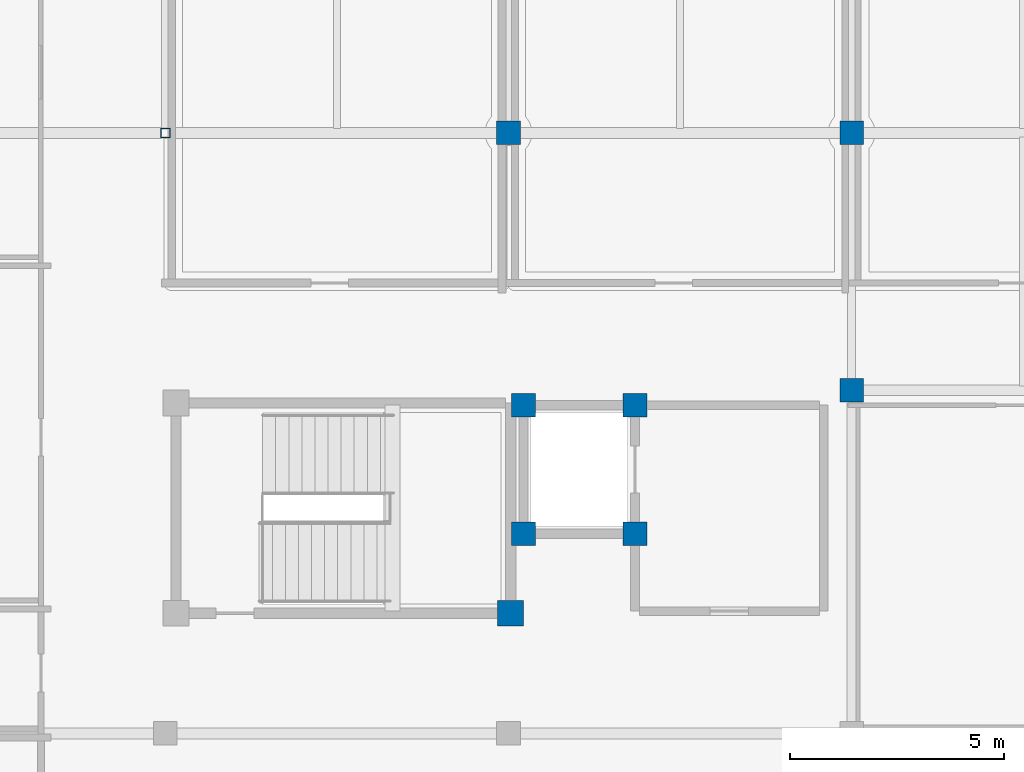
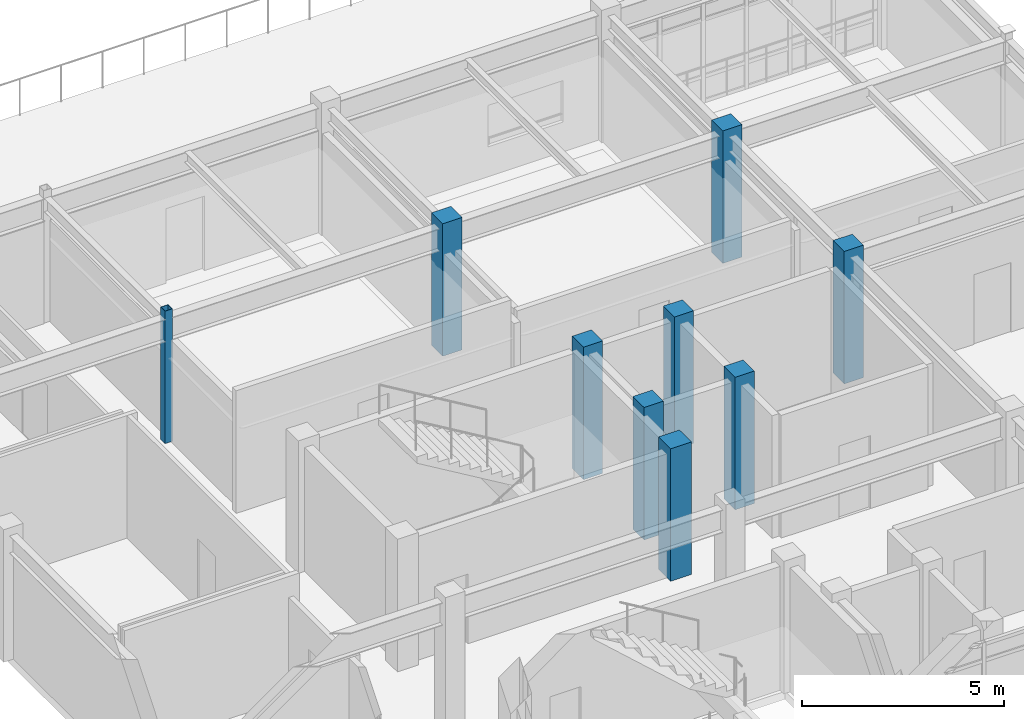
# One storey, part 2 of 31: 9 columns.
"""IFC4 building model written with IfcOpenShell, lengths in metres."""

from ifc_helpers import new_model, si_unit, direction, frame, origin, origin_2d, place, context, subcontext, project, spatial, rectangle, hollow_rectangle, extrude, material, material_profile, profile_set, type_object, element, save


model = new_model("IFC4")

# Units and contexts
model_context = context("Model", 3, precision=1e-05, world=origin(), true_north=direction((0.0, 1.0)))
body_context = subcontext(model_context, "Body", "Model", "MODEL_VIEW")
ifc_project = project(units=[si_unit("LENGTHUNIT", "METRE"), si_unit("AREAUNIT", "SQUARE_METRE"), si_unit("VOLUMEUNIT", "CUBIC_METRE"), si_unit("PLANEANGLEUNIT", "RADIAN"), si_unit("MASSUNIT", "GRAM", prefix="KILO")], contexts=[model_context])

# Site, building, storey
site_placement = place(None, origin())
site = spatial("IfcSite", under=ifc_project, at=site_placement, CompositionType="ELEMENT")
building_placement = place(site_placement, origin())
building = spatial("IfcBuilding", under=site, at=building_placement, Name="Celadon Cloister-Ring School", CompositionType="ELEMENT")
storey_placement = place(building_placement, frame((0.0, 0.0, 16.5)))
storey = spatial("IfcBuildingStorey", under=building, at=storey_placement, Name="L04", CompositionType="ELEMENT", Elevation=16.5)

# Columns
ifc_material_1 = material(Name="Concrete C40/50", Category="concrete")
ifc_material_profile_1 = material_profile(ifc_material_1, rectangle(XDim=0.60009765625, YDim=0.60009765625, at=origin_2d()), Name="RC600X600")
ifc_profile_set_1 = profile_set([ifc_material_profile_1], Name="Concrete C40/50")
column_type_1 = type_object("IfcColumnType", Name="CT-04", PredefinedType="COLUMN", material=ifc_profile_set_1)
column_1_placement = place(storey_placement, frame((16.050048828125, 50.800048828125, 0.0), z_axis=(0.0, 0.0, 1.0), x_axis=(1.0, 0.0, 0.0)))
element("IfcColumn", 1, at=column_1_placement, inside=storey, type_object=column_type_1, Name="Column 0151", PredefinedType="COLUMN", context=body_context, shape_type="SweptSolid", body=[
    extrude(rectangle(XDim=0.60009765625, YDim=0.60009765625, at=origin_2d()), origin(), (0.0, 0.0, 1.0), 4.0),
])
ifc_material_2 = material(Name="Concrete C40/50", Category="concrete")
ifc_material_profile_2 = material_profile(ifc_material_2, rectangle(XDim=0.550048828125, YDim=0.550048828125, at=origin_2d()), Name="RC550X550")
ifc_profile_set_2 = profile_set([ifc_material_profile_2], Name="Concrete C40/50")
column_type_2 = type_object("IfcColumnType", Name="CT-05", PredefinedType="COLUMN", material=ifc_profile_set_2)
for number, where, z_axis, x_axis, name in (
    (2, (16.35009765625, 52.64990234375, 0.0), (0.0, 0.0, 1.0), (1.0, 0.0, 0.0), "Column 0240"),
    (3, (18.949951171875, 52.64990234375, 0.0), (0.0, 0.0, 1.0), (1.0, 0.0, 0.0), "Column 0246"),
    (4, (18.949951171875, 55.64990234375, 0.0), (0.0, 0.0, 1.0), (1.0, 0.0, 0.0), "Column 0252"),
    (5, (16.35009765625, 55.64990234375, 0.0), (0.0, 0.0, 1.0), (1.0, 0.0, 0.0), "Column 0258"),
    (6, (16.0, 62.0, 0.0), (0.0, 0.0, 1.0), (1.0, 0.0, 0.0), "Column 1102"),
    (7, (24.0, 56.0, 0.0), (0.0, 0.0, 1.0), (1.0, 0.0, 0.0), "Column 1130"),
    (8, (24.0, 62.0, 0.0), (0.0, 0.0, 1.0), (1.0, 0.0, 0.0), "Column 1136"),
):
    element("IfcColumn", number, at=place(storey_placement, frame(where, z_axis=z_axis, x_axis=x_axis)), inside=storey, type_object=column_type_2, Name=name, PredefinedType="COLUMN", context=body_context, shape_type="SweptSolid", body=[
        extrude(rectangle(XDim=0.550048828125, YDim=0.550048828125, at=origin_2d()), origin(), (0.0, 0.0, 1.0), 4.0),
    ])
ifc_material_3 = material(Name="Structural steel S355JR", Category="steel")
ifc_material_profile_3 = material_profile(ifc_material_3, hollow_rectangle(XDim=0.219970703125, YDim=0.219970703125, WallThickness=0.010009765625, at=origin_2d()), Name="HSS220X220X10")
ifc_profile_set_3 = profile_set([ifc_material_profile_3], Name="Structural steel S355JR")
column_type_3 = type_object("IfcColumnType", Name="CT-09", PredefinedType="COLUMN", material=ifc_profile_set_3)
column_2_placement = place(storey_placement, frame((8.0, 62.0, 0.0), z_axis=(0.0, 0.0, 1.0), x_axis=(1.0, 0.0, 0.0)))
element("IfcColumn", 9, at=column_2_placement, inside=storey, type_object=column_type_3, Name="Column 1187", PredefinedType="COLUMN", context=body_context, shape_type="SweptSolid", body=[
    extrude(hollow_rectangle(XDim=0.219970703125, YDim=0.219970703125, WallThickness=0.010009765625, at=origin_2d()), origin(), (0.0, 0.0, 1.0), 4.0),
])

save(model, "model.ifc")
